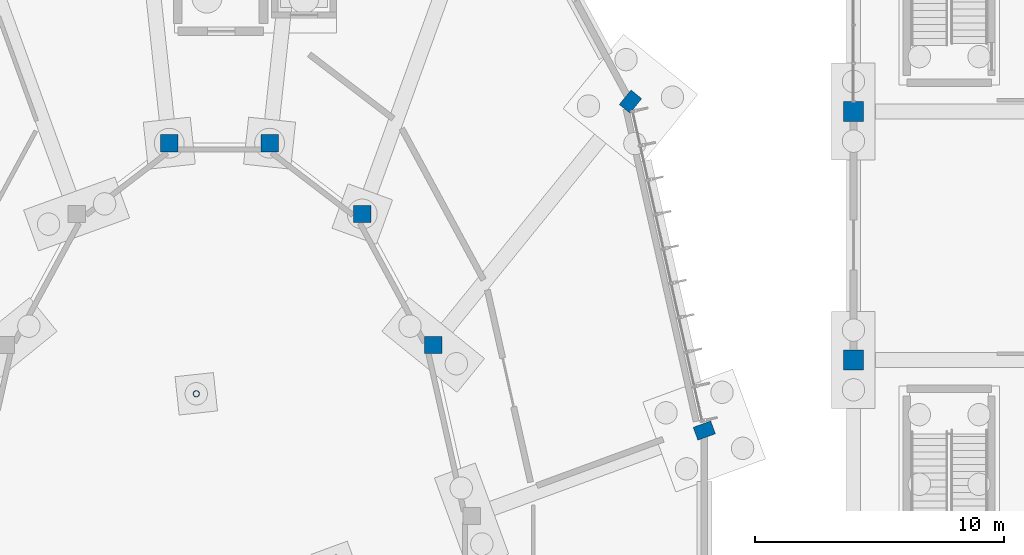
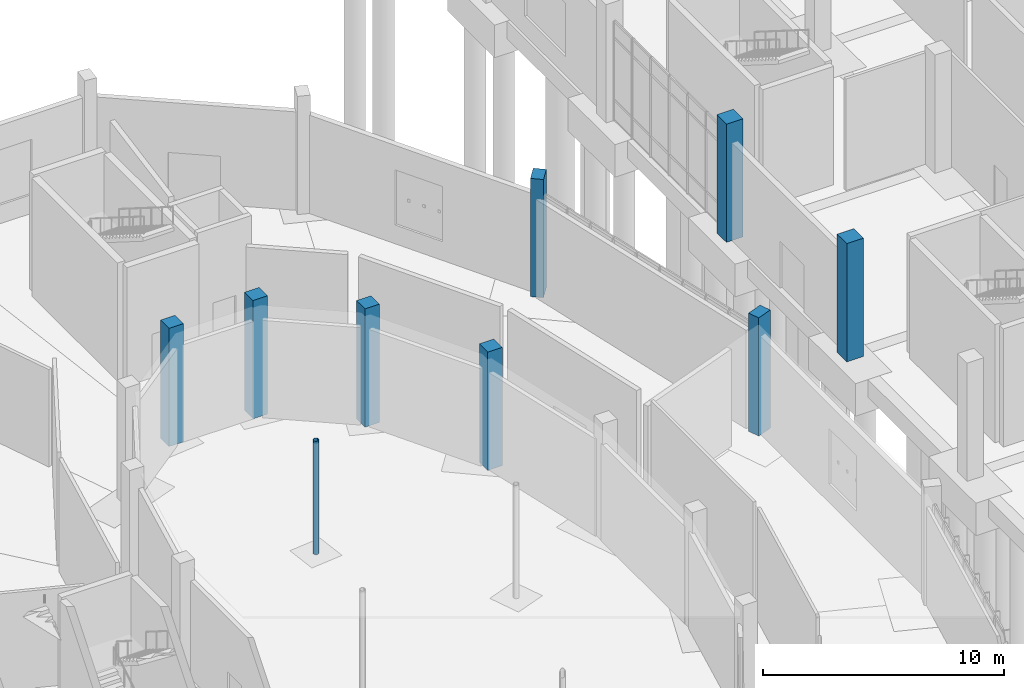
# One storey, part 27 of 140: 9 columns.
"""IFC4 building model written with IfcOpenShell, lengths in metres."""

from ifc_helpers import new_model, si_unit, direction, frame, origin, origin_2d, place, context, subcontext, project, spatial, rectangle, hollow_circle, extrude, material, material_profile, profile_set, type_object, element, save


model = new_model("IFC4")

# Units and contexts
model_context = context("Model", 3, precision=1e-05, world=origin(), true_north=direction((0.0, 1.0)))
body_context = subcontext(model_context, "Body", "Model", "MODEL_VIEW")
ifc_project = project(units=[si_unit("LENGTHUNIT", "METRE"), si_unit("AREAUNIT", "SQUARE_METRE"), si_unit("VOLUMEUNIT", "CUBIC_METRE"), si_unit("PLANEANGLEUNIT", "RADIAN"), si_unit("MASSUNIT", "GRAM", prefix="KILO")], contexts=[model_context])

# Site, building, storey
site_placement = place(None, origin())
site = spatial("IfcSite", under=ifc_project, at=site_placement, CompositionType="ELEMENT")
building_placement = place(site_placement, origin())
building = spatial("IfcBuilding", under=site, at=building_placement, Name="Corvandel Quay Wholesale Market", CompositionType="ELEMENT")
storey_placement = place(building_placement, origin())
storey = spatial("IfcBuildingStorey", under=building, at=storey_placement, Name="L00", CompositionType="ELEMENT", Elevation=0.0)

# Columns
ifc_material_1 = material(Name="Precast concrete C45/55", Category="concrete")
ifc_material_profile_1 = material_profile(ifc_material_1, rectangle(XDim=0.550048828125, YDim=0.75, at=origin_2d()), Name="PC-COL-550x750")
ifc_profile_set_1 = profile_set([ifc_material_profile_1], Name="Precast concrete C45/55")
column_type_1 = type_object("IfcColumnType", Name="Pavilion Pier C09 550x750", PredefinedType="COLUMN", material=ifc_profile_set_1)
for number, where, z_axis, x_axis, name in (
    (1, (214.0, 67.160888671875, 0.0), (0.0, 0.0, 1.0), (-0.344642923175, 0.938733857654, 0.0), "Column COL-0479"),
    (2, (211.031005859375, 80.39208984375, 0.0), (0.0, 0.0, 1.0), (-0.776816343556, 0.629727217439, 0.0), "Column COL-0486"),
):
    element("IfcColumn", number, at=place(storey_placement, frame(where, z_axis=z_axis, x_axis=x_axis)), inside=storey, type_object=column_type_1, Name=name, PredefinedType="COLUMN", context=body_context, shape_type="SweptSolid", body=[
        extrude(rectangle(XDim=0.550048828125, YDim=0.75, at=origin_2d()), origin(), (0.0, 0.0, 1.0), 6.0),
    ])
ifc_material_profile_2 = material_profile(ifc_material_1, rectangle(XDim=0.800048828125, YDim=0.800048828125, at=origin_2d()), Name="PC-COL-800x800")
ifc_profile_set_2 = profile_set([ifc_material_profile_2], Name="Precast concrete C45/55")
column_type_2 = type_object("IfcColumnType", Name="Precast Column C02 800x800", PredefinedType="COLUMN", material=ifc_profile_set_2)
for number, where, z_axis, x_axis, name in (
    (3, (220.0, 70.0, 0.0), (0.0, 0.0, 1.0), (1.0, 0.0, 0.0), "Column COL-0795"),
    (4, (220.0, 80.0, 0.0), (0.0, 0.0, 1.0), (1.0, 0.0, 0.0), "Column COL-0799"),
):
    element("IfcColumn", number, at=place(storey_placement, frame(where, z_axis=z_axis, x_axis=x_axis)), inside=storey, type_object=column_type_2, Name=name, PredefinedType="COLUMN", context=body_context, shape_type="SweptSolid", body=[
        extrude(rectangle(XDim=0.800048828125, YDim=0.800048828125, at=origin_2d()), origin(), (0.0, 0.0, 1.0), 6.0),
    ])
ifc_material_profile_3 = material_profile(ifc_material_1, rectangle(XDim=0.699951171875, YDim=0.699951171875, at=origin_2d()), Name="PC-COL-700x700")
ifc_profile_set_3 = profile_set([ifc_material_profile_3], Name="Precast concrete C45/55")
column_type_3 = type_object("IfcColumnType", Name="Precast Column C04 700x700", PredefinedType="COLUMN", material=ifc_profile_set_3)
for number, where, z_axis, x_axis, name in (
    (5, (203.095947265625, 70.60400390625, 0.0), (0.0, 0.0, 1.0), (1.0, 0.0, 0.0), "Column COL-0489"),
    (6, (200.243896484375, 75.8701171875, 0.0), (0.0, 0.0, 1.0), (1.0, 0.0, 0.0), "Column COL-0495"),
    (7, (196.51708984375, 78.719970703125, 0.0), (0.0, 0.0, 1.0), (1.0, 0.0, 0.0), "Column COL-0501"),
    (8, (192.48291015625, 78.719970703125, 0.0), (0.0, 0.0, 1.0), (1.0, 0.0, 0.0), "Column COL-0507"),
):
    element("IfcColumn", number, at=place(storey_placement, frame(where, z_axis=z_axis, x_axis=x_axis)), inside=storey, type_object=column_type_3, Name=name, PredefinedType="COLUMN", context=body_context, shape_type="SweptSolid", body=[
        extrude(rectangle(XDim=0.699951171875, YDim=0.699951171875, at=origin_2d()), origin(), (0.0, 0.0, 1.0), 6.0),
    ])
ifc_material_2 = material(Name="Steel A500 Grade C", Category="steel")
ifc_material_profile_4 = material_profile(ifc_material_2, hollow_circle(Radius=0.126953125, WallThickness=0.01171875, at=origin_2d()), Name="HSS10.000X0.500")
ifc_profile_set_4 = profile_set([ifc_material_profile_4], Name="Steel A500 Grade C")
column_type_4 = type_object("IfcColumnType", Name="Tubular Court Column C14 HSS10", PredefinedType="COLUMN", material=ifc_profile_set_4)
column_placement = place(storey_placement, frame((193.569091796875, 68.639892578125, 0.0), z_axis=(0.0, 0.0, 1.0), x_axis=(1.0, 0.0, 0.0)))
element("IfcColumn", 9, at=column_placement, inside=storey, type_object=column_type_4, Name="Column COL-0510", PredefinedType="COLUMN", context=body_context, shape_type="SweptSolid", body=[
    extrude(hollow_circle(Radius=0.126953125, WallThickness=0.01171875, at=origin_2d()), origin(), (0.0, 0.0, 1.0), 5.7548828125),
])

save(model, "model.ifc")
